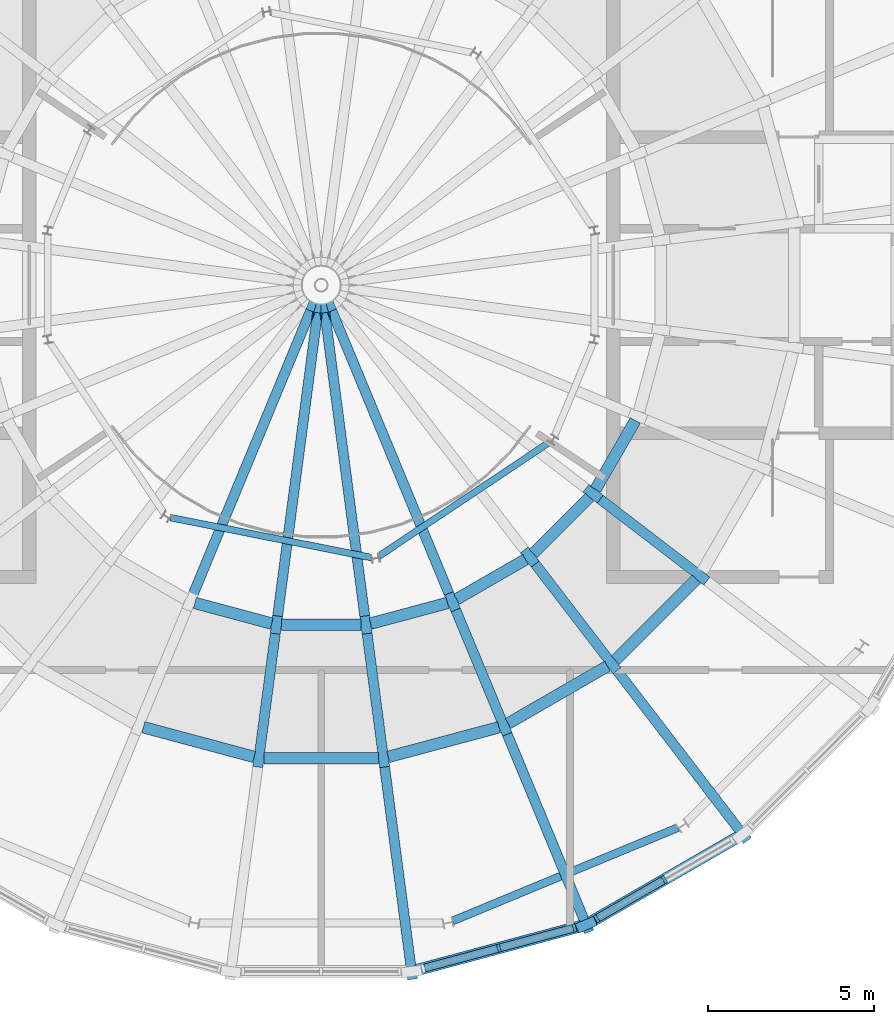
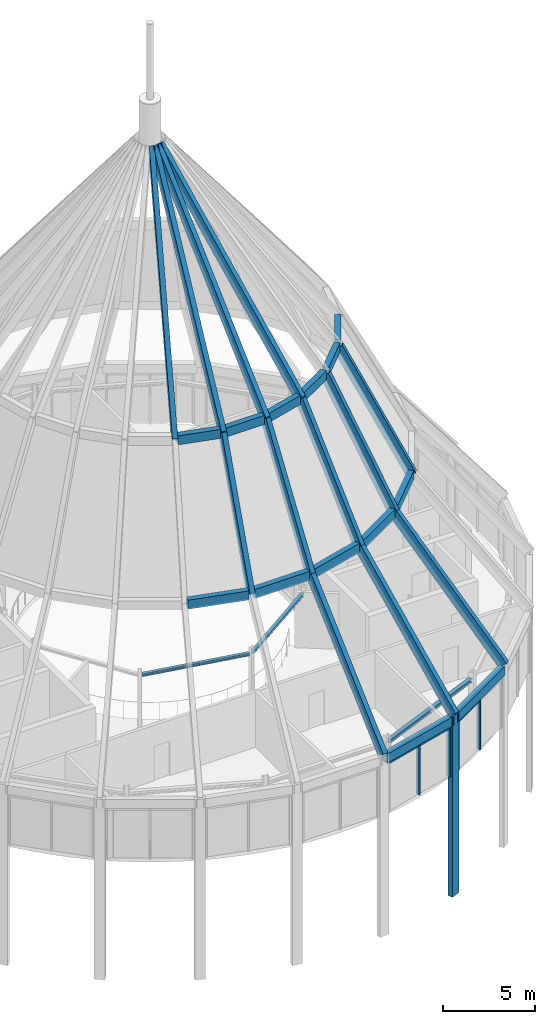
# One storey, part 5 of 16: 33 members, 3 beams, 2 elements without a shape of their own.
"""IFC4 building model written with IfcOpenShell, lengths in metres."""

from ifc_helpers import new_model, si_unit, direction, frame, origin, origin_2d, place, context, subcontext, project, spatial, rectangle, i_section, extrude, material, layer, layer_set, material_profile, profile_set, type_object, element, aggregate, save


model = new_model("IFC4")

# Units and contexts
model_context = context("Model", 3, precision=1e-05, world=origin(), true_north=direction((0.0, 1.0)))
body_context = subcontext(model_context, "Body", "Model", "MODEL_VIEW")
ifc_project = project(units=[si_unit("LENGTHUNIT", "METRE"), si_unit("AREAUNIT", "SQUARE_METRE"), si_unit("VOLUMEUNIT", "CUBIC_METRE"), si_unit("PLANEANGLEUNIT", "RADIAN"), si_unit("MASSUNIT", "GRAM", prefix="KILO")], contexts=[model_context])

# Site, building, storey
site_placement = place(None, origin())
site = spatial("IfcSite", under=ifc_project, at=site_placement, CompositionType="ELEMENT")
building_placement = place(site_placement, origin())
building = spatial("IfcBuilding", under=site, at=building_placement, Name="Maasbend Ring Residences", CompositionType="ELEMENT")
storey_placement = place(building_placement, frame((0.0, 0.0, 269.5)))
storey = spatial("IfcBuildingStorey", under=building, at=storey_placement, Name="L77", CompositionType="ELEMENT", Elevation=269.5)

# Members
ifc_material_1 = material(Name="Steel S355J2", Category="steel")
ifc_material_profile_1 = material_profile(ifc_material_1, rectangle(XDim=0.300048828125, YDim=0.60009765625, at=origin_2d()), Name="Box 300x600x12")
ifc_profile_set_1 = profile_set([ifc_material_profile_1], Name="Steel S355J2")
member_type_1 = type_object("IfcMemberType", Name="CROWN-RIB", PredefinedType="USERDEFINED", material=ifc_profile_set_1)
member_1_placement = place(storey_placement, frame((-3.952880859375, -9.543212890625, 20.554931640625), z_axis=(0.232061913471, 0.560229200064, 0.795166970964), x_axis=(-0.923875229128, 0.382693821485, 0.0)))
element("IfcMember", 1, at=member_1_placement, inside=storey, type_object=member_type_1, Name="Crown frame rib", ObjectType="CROWN FRAME", PredefinedType="USERDEFINED", context=body_context, shape_type="SweptSolid", body=[
    extrude(rectangle(XDim=0.300048828125, YDim=0.60009765625, at=origin_2d()), origin(), (0.0, 0.0, 1.0), 16.044921875),
])
member_2_placement = place(storey_placement, frame((-1.87744140625, -14.260498046875, 12.427978515625), z_axis=(0.058253168018, 0.4425574089, 0.894846080755), x_axis=(-0.991447940021, 0.130502805444, 0.0)))
element("IfcMember", 2, at=member_2_placement, inside=storey, type_object=member_type_1, Name="Crown frame rib", ObjectType="CROWN FRAME", PredefinedType="USERDEFINED", context=body_context, shape_type="SweptSolid", body=[
    extrude(rectangle(XDim=0.300048828125, YDim=0.60009765625, at=origin_2d()), origin(), (0.0, 0.0, 1.0), 9.08203125),
])
member_3_placement = place(storey_placement, frame((-1.348388671875, -10.2412109375, 20.554931640625), z_axis=(0.079154352325, 0.601204847121, 0.795164964209), x_axis=(-0.991443958068, 0.130533053324, 0.0)))
element("IfcMember", 3, at=member_3_placement, inside=storey, type_object=member_type_1, Name="Crown frame rib", ObjectType="CROWN FRAME", PredefinedType="USERDEFINED", context=body_context, shape_type="SweptSolid", body=[
    extrude(rectangle(XDim=0.300048828125, YDim=0.60009765625, at=origin_2d()), origin(), (0.0, 0.0, 1.0), 16.044921875),
])
member_4_placement = place(storey_placement, frame((2.72412109375, -20.69140625, 4.0), z_axis=(-0.079612203208, 0.604690035961, 0.792471991625), x_axis=(-0.991444171841, -0.130531429632, 0.0)))
element("IfcMember", 4, at=member_4_placement, inside=storey, type_object=member_type_1, Name="Crown frame rib", ObjectType="CROWN FRAME", PredefinedType="USERDEFINED", context=body_context, shape_type="SweptSolid", body=[
    extrude(rectangle(XDim=0.300048828125, YDim=0.60009765625, at=origin_2d()), origin(), (0.0, 0.0, 1.0), 10.635009765625),
])
member_5_placement = place(storey_placement, frame((1.87744140625, -14.260498046875, 12.427978515625), z_axis=(-0.058253168018, 0.4425574089, 0.894846080755), x_axis=(-0.991447940021, -0.130502805444, 0.0)))
element("IfcMember", 5, at=member_5_placement, inside=storey, type_object=member_type_1, Name="Crown frame rib", ObjectType="CROWN FRAME", PredefinedType="USERDEFINED", context=body_context, shape_type="SweptSolid", body=[
    extrude(rectangle(XDim=0.300048828125, YDim=0.60009765625, at=origin_2d()), origin(), (0.0, 0.0, 1.0), 9.08203125),
])
member_6_placement = place(storey_placement, frame((1.348388671875, -10.2412109375, 20.554931640625), z_axis=(-0.079154352325, 0.601204847121, 0.795164964209), x_axis=(-0.991443958068, -0.130533053324, 0.0)))
element("IfcMember", 6, at=member_6_placement, inside=storey, type_object=member_type_1, Name="Crown frame rib", ObjectType="CROWN FRAME", PredefinedType="USERDEFINED", context=body_context, shape_type="SweptSolid", body=[
    extrude(rectangle(XDim=0.300048828125, YDim=0.60009765625, at=origin_2d()), origin(), (0.0, 0.0, 1.0), 16.044921875),
])
member_7_placement = place(storey_placement, frame((7.986572265625, -19.28125, -8.0), z_axis=(0.0, 0.0, 1.0), x_axis=(0.382683432365, -0.923879532511, 0.0)))
element("IfcMember", 7, at=member_7_placement, inside=storey, type_object=member_type_1, Name="Crown frame rib", ObjectType="CROWN FRAME", PredefinedType="USERDEFINED", context=body_context, shape_type="SweptSolid", body=[
    extrude(rectangle(XDim=0.300048828125, YDim=0.60009765625, at=origin_2d()), origin(), (0.0, 0.0, 1.0), 12.0),
])
member_8_placement = place(storey_placement, frame((7.986572265625, -19.28125, 4.0), z_axis=(-0.233399082314, 0.563468129772, 0.79248251407), x_axis=(-0.923877827618, -0.382687548315, 0.0)))
element("IfcMember", 8, at=member_8_placement, inside=storey, type_object=member_type_1, Name="Crown frame rib", ObjectType="CROWN FRAME", PredefinedType="USERDEFINED", context=body_context, shape_type="SweptSolid", body=[
    extrude(rectangle(XDim=0.300048828125, YDim=0.60009765625, at=origin_2d()), origin(), (0.0, 0.0, 1.0), 10.635009765625),
])
member_9_placement = place(storey_placement, frame((5.50439453125, -13.288818359375, 12.427978515625), z_axis=(-0.170832473334, 0.412417278661, 0.894834204932), x_axis=(-0.92387664706, -0.382690398388, 0.0)))
element("IfcMember", 9, at=member_9_placement, inside=storey, type_object=member_type_1, Name="Crown frame rib", ObjectType="CROWN FRAME", PredefinedType="USERDEFINED", context=body_context, shape_type="SweptSolid", body=[
    extrude(rectangle(XDim=0.300048828125, YDim=0.60009765625, at=origin_2d()), origin(), (0.0, 0.0, 1.0), 9.08203125),
])
member_10_placement = place(storey_placement, frame((3.952880859375, -9.543212890625, 20.554931640625), z_axis=(-0.232061913471, 0.560229200064, 0.795166970964), x_axis=(-0.923875229128, -0.382693821485, 0.0)))
element("IfcMember", 10, at=member_10_placement, inside=storey, type_object=member_type_1, Name="Crown frame rib", ObjectType="CROWN FRAME", PredefinedType="USERDEFINED", context=body_context, shape_type="SweptSolid", body=[
    extrude(rectangle(XDim=0.300048828125, YDim=0.60009765625, at=origin_2d()), origin(), (0.0, 0.0, 1.0), 16.044921875),
])
member_11_placement = place(storey_placement, frame((12.704833984375, -16.557373046875, 4.0), z_axis=(-0.37129355813, 0.483870756663, 0.792470936084), x_axis=(-0.793348218634, -0.608768103624, 0.0)))
element("IfcMember", 11, at=member_11_placement, inside=storey, type_object=member_type_1, Name="Crown frame rib", ObjectType="CROWN FRAME", PredefinedType="USERDEFINED", context=body_context, shape_type="SweptSolid", body=[
    extrude(rectangle(XDim=0.300048828125, YDim=0.60009765625, at=origin_2d()), origin(), (0.0, 0.0, 1.0), 10.635009765625),
])
for number, where, z_axis, x_axis, name in (
    (12, (8.756103515625, -11.411376953125, 12.427978515625), (-0.271722699578, 0.354142742802, 0.894846183573), (-0.7933756116, -0.608732403374, 0.0), "Crown frame rib"),
    (13, (11.411376953125, -8.756103515625, 12.427978515625), (-0.354142742802, 0.271722699578, 0.894846183573), (-0.608732403374, -0.7933756116, 0.0), "Crown frame rib"),
):
    element("IfcMember", number, at=place(storey_placement, frame(where, z_axis=z_axis, x_axis=x_axis)), inside=storey, type_object=member_type_1, Name=name, ObjectType="CROWN FRAME", PredefinedType="USERDEFINED", context=body_context, shape_type="SweptSolid", body=[
        extrude(rectangle(XDim=0.300048828125, YDim=0.60009765625, at=origin_2d()), origin(), (0.0, 0.0, 1.0), 9.08203125),
    ])
ifc_material_2 = material(Name="Steel S355J2", Category="steel")
ifc_material_profile_2 = material_profile(ifc_material_2, rectangle(XDim=0.35009765625, YDim=0.60009765625, at=origin_2d()), Name="Box 350x600x16")
ifc_profile_set_2 = profile_set([ifc_material_profile_2], Name="Steel S355J2")
member_type_2 = type_object("IfcMemberType", Name="CROWN-RING", PredefinedType="USERDEFINED", material=ifc_profile_set_2)
member_12_placement = place(storey_placement, frame((2.868896484375, -20.652587890625, 3.699951171875), z_axis=(0.96592413215, 0.258825367631, 0.0), x_axis=(-0.258825367631, 0.96592413215, 0.0)))
element("IfcMember", 14, at=member_12_placement, inside=storey, type_object=member_type_2, Name="Crown frame ring beam", ObjectType="CROWN FRAME", PredefinedType="USERDEFINED", context=body_context, shape_type="SweptSolid", body=[
    extrude(rectangle(XDim=0.35009765625, YDim=0.60009765625, at=origin_2d()), origin(), (0.0, 0.0, 1.0), 5.1484375),
])
member_13_placement = place(storey_placement, frame((8.116455078125, -19.206298828125, 3.699951171875), z_axis=(0.866037120986, 0.499979704663, 0.0), x_axis=(-0.499979704663, 0.866037120986, 0.0)))
element("IfcMember", 15, at=member_13_placement, inside=storey, type_object=member_type_2, Name="Crown frame ring beam", ObjectType="CROWN FRAME", PredefinedType="USERDEFINED", context=body_context, shape_type="SweptSolid", body=[
    extrude(rectangle(XDim=0.35009765625, YDim=0.60009765625, at=origin_2d()), origin(), (0.0, 0.0, 1.0), 5.148193359375),
])
member_14_placement = place(storey_placement, frame((-5.359375, -13.32763671875, 12.427978515625), z_axis=(0.965936381451, -0.25877964949, 0.0), x_axis=(0.25877964949, 0.965936381451, 0.0)))
element("IfcMember", 16, at=member_14_placement, inside=storey, type_object=member_type_2, Name="Crown frame ring beam", ObjectType="CROWN FRAME", PredefinedType="USERDEFINED", context=body_context, shape_type="SweptSolid", body=[
    extrude(rectangle(XDim=0.35009765625, YDim=0.60009765625, at=origin_2d()), origin(), (0.0, 0.0, 1.0), 3.454833984375),
])
member_15_placement = place(storey_placement, frame((-1.7275390625, -14.260498046875, 12.427978515625), z_axis=(1.0, 0.0, 0.0), x_axis=(0.0, 1.0, 0.0)))
element("IfcMember", 17, at=member_15_placement, inside=storey, type_object=member_type_2, Name="Crown frame ring beam", ObjectType="CROWN FRAME", PredefinedType="USERDEFINED", context=body_context, shape_type="SweptSolid", body=[
    extrude(rectangle(XDim=0.35009765625, YDim=0.60009765625, at=origin_2d()), origin(), (0.0, 0.0, 1.0), 3.455078125),
])
for number, where, z_axis, x_axis, name in (
    (18, (2.022216796875, -14.2216796875, 12.427978515625), (0.965936381451, 0.25877964949, 0.0), (-0.25877964949, 0.965936381451, 0.0), "Crown frame ring beam"),
    (19, (5.63427734375, -13.213623046875, 12.427978515625), (0.866038486578, 0.499977339252, 0.0), (-0.499977339252, 0.866038486578, 0.0), "Crown frame ring beam"),
    (20, (8.8623046875, -11.30517578125, 12.427978515625), (0.707106781187, 0.707106781187, 0.0), (-0.707106781187, 0.707106781187, 0.0), "Crown frame ring beam"),
):
    element("IfcMember", number, at=place(storey_placement, frame(where, z_axis=z_axis, x_axis=x_axis)), inside=storey, type_object=member_type_2, Name=name, ObjectType="CROWN FRAME", PredefinedType="USERDEFINED", context=body_context, shape_type="SweptSolid", body=[
        extrude(rectangle(XDim=0.35009765625, YDim=0.60009765625, at=origin_2d()), origin(), (0.0, 0.0, 1.0), 3.454833984375),
    ])
member_16_placement = place(storey_placement, frame((-3.80810546875, -9.58203125, 20.554931640625), z_axis=(0.965918039083, -0.258848105601, 0.0), x_axis=(0.258848105601, 0.965918039083, 0.0)))
element("IfcMember", 21, at=member_16_placement, inside=storey, type_object=member_type_2, Name="Crown frame ring beam", ObjectType="CROWN FRAME", PredefinedType="USERDEFINED", context=body_context, shape_type="SweptSolid", body=[
    extrude(rectangle(XDim=0.35009765625, YDim=0.60009765625, at=origin_2d()), origin(), (0.0, 0.0, 1.0), 2.396728515625),
])
member_17_placement = place(storey_placement, frame((-1.1982421875, -10.2412109375, 20.554931640625), z_axis=(1.0, 0.0, 0.0), x_axis=(0.0, 1.0, 0.0)))
element("IfcMember", 22, at=member_17_placement, inside=storey, type_object=member_type_2, Name="Crown frame ring beam", ObjectType="CROWN FRAME", PredefinedType="USERDEFINED", context=body_context, shape_type="SweptSolid", body=[
    extrude(rectangle(XDim=0.35009765625, YDim=0.60009765625, at=origin_2d()), origin(), (0.0, 0.0, 1.0), 2.396484375),
])
for number, where, z_axis, x_axis, name in (
    (23, (1.4931640625, -10.202392578125, 20.554931640625), (0.965918039083, 0.258848105601, 0.0), (-0.258848105601, 0.965918039083, 0.0), "Crown frame ring beam"),
    (24, (4.082763671875, -9.46826171875, 20.554931640625), (0.866053278629, 0.499951716245, 0.0), (-0.499951716245, 0.866053278629, 0.0), "Crown frame ring beam"),
):
    element("IfcMember", number, at=place(storey_placement, frame(where, z_axis=z_axis, x_axis=x_axis)), inside=storey, type_object=member_type_2, Name=name, ObjectType="CROWN FRAME", PredefinedType="USERDEFINED", context=body_context, shape_type="SweptSolid", body=[
        extrude(rectangle(XDim=0.35009765625, YDim=0.60009765625, at=origin_2d()), origin(), (0.0, 0.0, 1.0), 2.396728515625),
    ])
member_18_placement = place(storey_placement, frame((6.394287109375, -8.0888671875, 20.554931640625), z_axis=(0.707106781187, 0.707106781187, 0.0), x_axis=(-0.707106781187, 0.707106781187, 0.0)))
element("IfcMember", 25, at=member_18_placement, inside=storey, type_object=member_type_2, Name="Crown frame ring beam", ObjectType="CROWN FRAME", PredefinedType="USERDEFINED", context=body_context, shape_type="SweptSolid", body=[
    extrude(rectangle(XDim=0.35009765625, YDim=0.60009765625, at=origin_2d()), origin(), (0.0, 0.0, 1.0), 2.396484375),
])
member_19_placement = place(storey_placement, frame((8.27001953125, -6.158447265625, 20.554931640625), z_axis=(0.499951716245, 0.866053278629, 0.0), x_axis=(-0.866053278629, 0.499951716245, 0.0)))
element("IfcMember", 26, at=member_19_placement, inside=storey, type_object=member_type_2, Name="Crown frame ring beam", ObjectType="CROWN FRAME", PredefinedType="USERDEFINED", context=body_context, shape_type="SweptSolid", body=[
    extrude(rectangle(XDim=0.35009765625, YDim=0.60009765625, at=origin_2d()), origin(), (0.0, 0.0, 1.0), 2.396728515625),
])

# Curtain wall, members
ifc_material_3 = material(Name="Aluminium and clear glass", Category="aluminium")
ifc_layer = layer(ifc_material_3, 0.239990234375)
ifc_layer_set = layer_set([ifc_layer], Name="CW-CN")
curtain_wall_type = type_object("IfcCurtainWallType", Name="CW-CN", PredefinedType="NOTDEFINED", material=ifc_layer_set)
curtain_wall_1_placement = place(storey_placement, origin())
curtain_wall_1 = element("IfcCurtainWall", 27, at=curtain_wall_1_placement, inside=storey, type_object=curtain_wall_type, Name="Crown drum glazing 19 L77", PredefinedType="NOTDEFINED")
ifc_material_4 = material(Name="Aluminium 6063-T6", Category="aluminium")
ifc_material_profile_3 = material_profile(ifc_material_4, rectangle(XDim=0.239990234375, YDim=0.090087890625, at=origin_2d()), Name="AL 240x90")
ifc_profile_set_3 = profile_set([ifc_material_profile_3], Name="Aluminium 6063-T6")
member_type_3 = type_object("IfcMemberType", Name="CWM-CN", PredefinedType="MULLION", material=ifc_profile_set_3)
member_20_placement = place(storey_placement, frame((5.355224609375, -19.986328125, 0.0), z_axis=(0.0, 0.0, 1.0), x_axis=(-0.258819045103, 0.965925826289, 0.0)))
member_20 = element("IfcMember", 28, at=member_20_placement, type_object=member_type_3, Name="Mullion crown cone", PredefinedType="MULLION", context=body_context, shape_type="SweptSolid", body=[
    extrude(rectangle(XDim=0.239990234375, YDim=0.090087890625, at=origin_2d()), origin(), (0.0, 0.0, 1.0), 3.39990234375),
])
member_21_placement = place(storey_placement, frame((7.634033203125, -19.375732421875, 0.0), z_axis=(0.0, 0.0, 1.0), x_axis=(-0.258819045103, 0.965925826289, 0.0)))
member_21 = element("IfcMember", 29, at=member_21_placement, type_object=member_type_3, Name="Mullion crown cone", PredefinedType="MULLION", context=body_context, shape_type="SweptSolid", body=[
    extrude(rectangle(XDim=0.239990234375, YDim=0.090087890625, at=origin_2d()), origin(), (0.0, 0.0, 1.0), 3.39990234375),
])

curtain_wall_2_placement = place(storey_placement, origin())
curtain_wall_2 = element("IfcCurtainWall", 30, at=curtain_wall_2_placement, inside=storey, type_object=curtain_wall_type, Name="Crown drum glazing 20 L77", PredefinedType="NOTDEFINED")
member_22_placement = place(storey_placement, frame((8.302734375, -19.098876953125, 0.0), z_axis=(0.0, 0.0, 1.0), x_axis=(-0.5, 0.866025403784, 0.0)))
member_22 = element("IfcMember", 31, at=member_22_placement, type_object=member_type_3, Name="Mullion crown cone", PredefinedType="MULLION", context=body_context, shape_type="SweptSolid", body=[
    extrude(rectangle(XDim=0.239990234375, YDim=0.090087890625, at=origin_2d()), origin(), (0.0, 0.0, 1.0), 3.39990234375),
])
member_23_placement = place(storey_placement, frame((10.345703125, -17.91943359375, 0.0), z_axis=(0.0, 0.0, 1.0), x_axis=(-0.5, 0.866025403784, 0.0)))
member_23 = element("IfcMember", 32, at=member_23_placement, type_object=member_type_3, Name="Mullion crown cone", PredefinedType="MULLION", context=body_context, shape_type="SweptSolid", body=[
    extrude(rectangle(XDim=0.239990234375, YDim=0.090087890625, at=origin_2d()), origin(), (0.0, 0.0, 1.0), 3.39990234375),
])

# Member
ifc_material_5 = material(Name="Aluminium 6063-T6", Category="aluminium")
ifc_material_profile_4 = material_profile(ifc_material_5, rectangle(XDim=0.239990234375, YDim=0.159912109375, at=origin_2d()), Name="AL 240x160")
ifc_profile_set_4 = profile_set([ifc_material_profile_4], Name="Aluminium 6063-T6")
member_type_4 = type_object("IfcMemberType", Name="CWT-CN", PredefinedType="USERDEFINED", material=ifc_profile_set_4)
member_24_placement = place(storey_placement, frame((3.1201171875, -20.58544921875, 3.320068359375), z_axis=(0.965909143883, 0.258881296667, 0.0), x_axis=(-0.258881296667, 0.965909143883, 0.0)))
member_24 = element("IfcMember", 33, at=member_24_placement, type_object=member_type_4, Name="Transom crown cone", ObjectType="TRANSOM", PredefinedType="USERDEFINED", context=body_context, shape_type="SweptSolid", body=[
    extrude(rectangle(XDim=0.239990234375, YDim=0.159912109375, at=origin_2d()), origin(), (0.0, 0.0, 1.0), 2.26904296875),
])

member_25_placement = place(storey_placement, frame((5.39892578125, -19.974853515625, 3.320068359375), z_axis=(0.965909143883, 0.258881296667, 0.0), x_axis=(-0.258881296667, 0.965909143883, 0.0)))
member_25 = element("IfcMember", 34, at=member_25_placement, type_object=member_type_4, Name="Transom crown cone", ObjectType="TRANSOM", PredefinedType="USERDEFINED", context=body_context, shape_type="SweptSolid", body=[
    extrude(rectangle(XDim=0.239990234375, YDim=0.159912109375, at=origin_2d()), origin(), (0.0, 0.0, 1.0), 2.26904296875),
])

aggregate(curtain_wall_1, [member_20, member_21, member_24, member_25])

member_26_placement = place(storey_placement, frame((8.341552734375, -19.076416015625, 3.320068359375), z_axis=(0.866029704776, 0.49999255039, 0.0), x_axis=(-0.49999255039, 0.866029704776, 0.0)))
member_26 = element("IfcMember", 35, at=member_26_placement, type_object=member_type_4, Name="Transom crown cone", ObjectType="TRANSOM", PredefinedType="USERDEFINED", context=body_context, shape_type="SweptSolid", body=[
    extrude(rectangle(XDim=0.239990234375, YDim=0.159912109375, at=origin_2d()), origin(), (0.0, 0.0, 1.0), 2.26904296875),
])

aggregate(curtain_wall_2, [member_22, member_23, member_26])

# Beams
ifc_material_6 = material(Name="Steel S355J2", Category="steel")
ifc_material_profile_5 = material_profile(ifc_material_6, i_section(OverallWidth=0.239990234375, OverallDepth=0.22998046875, WebThickness=0.007568359375, FlangeThickness=0.011962890625, FilletRadius=0.02099609375, at=origin_2d()), Name="HEA 240")
ifc_profile_set_5 = profile_set([ifc_material_profile_5], Name="Steel S355J2")
beam_type_1 = type_object("IfcBeamType", Name="Corridor ring beam HEA 240", PredefinedType="BEAM", material=ifc_profile_set_5)
beam_placement = place(storey_placement, frame((3.965087890625, -19.164794921875, 3.534912109375), z_axis=(0.923875784142, 0.382692481603, 0.0), x_axis=(-0.382692481603, 0.923875784142, 0.0)))
element("IfcBeam", 36, at=beam_placement, inside=storey, type_object=beam_type_1, Name="Corridor ring beam", PredefinedType="BEAM", context=body_context, shape_type="SweptSolid", body=[
    extrude(i_section(OverallWidth=0.239990234375, OverallDepth=0.22998046875, WebThickness=0.007568359375, FlangeThickness=0.011962890625, FilletRadius=0.02099609375, at=origin_2d()), origin(), (0.0, 0.0, 1.0), 7.341552734375),
])
ifc_material_7 = material(Name="Steel S355J2", Category="steel")
ifc_material_profile_6 = material_profile(ifc_material_7, i_section(OverallWidth=0.199951171875, OverallDepth=0.18994140625, WebThickness=0.006591796875, FlangeThickness=0.010009765625, FilletRadius=0.01806640625, at=origin_2d()), Name="HEA 200")
ifc_profile_set_6 = profile_set([ifc_material_profile_6], Name="Steel S355J2")
beam_type_2 = type_object("IfcBeamType", Name="Well edge beam HEA 200", PredefinedType="BEAM", material=ifc_profile_set_6)
for number, where, z_axis, x_axis, name in (
    (37, (-4.544677734375, -7.008544921875, 3.554931640625), (0.98078072474, -0.195113223486, 0.0), (0.195113223486, 0.98078072474, 0.0), "Well edge beam"),
    (38, (1.7421875, -8.16943359375, 3.554931640625), (0.831484648286, 0.555547729421, 0.0), (-0.555547729421, 0.831484648286, 0.0), "Well edge beam"),
):
    element("IfcBeam", number, at=place(storey_placement, frame(where, z_axis=z_axis, x_axis=x_axis)), inside=storey, type_object=beam_type_2, Name=name, PredefinedType="BEAM", context=body_context, shape_type="SweptSolid", body=[
        extrude(i_section(OverallWidth=0.199951171875, OverallDepth=0.18994140625, WebThickness=0.006591796875, FlangeThickness=0.010009765625, FilletRadius=0.01806640625, at=origin_2d()), origin(), (0.0, 0.0, 1.0), 6.18017578125),
    ])

save(model, "model.ifc")
